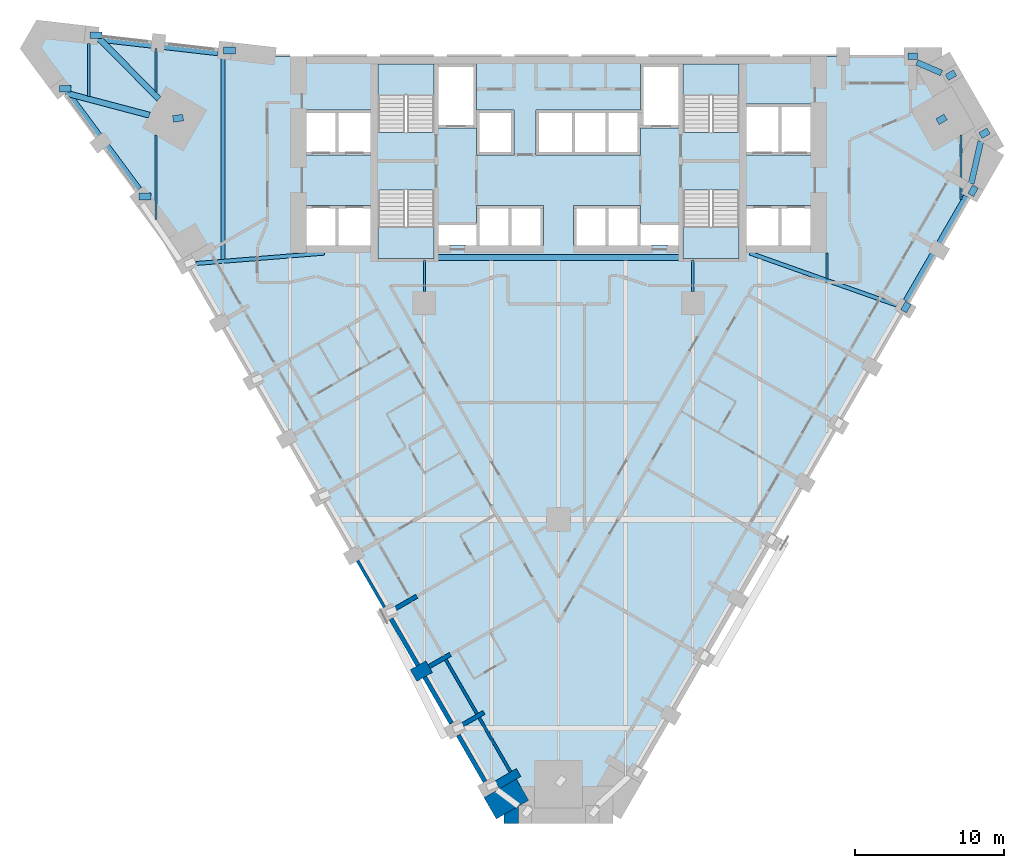
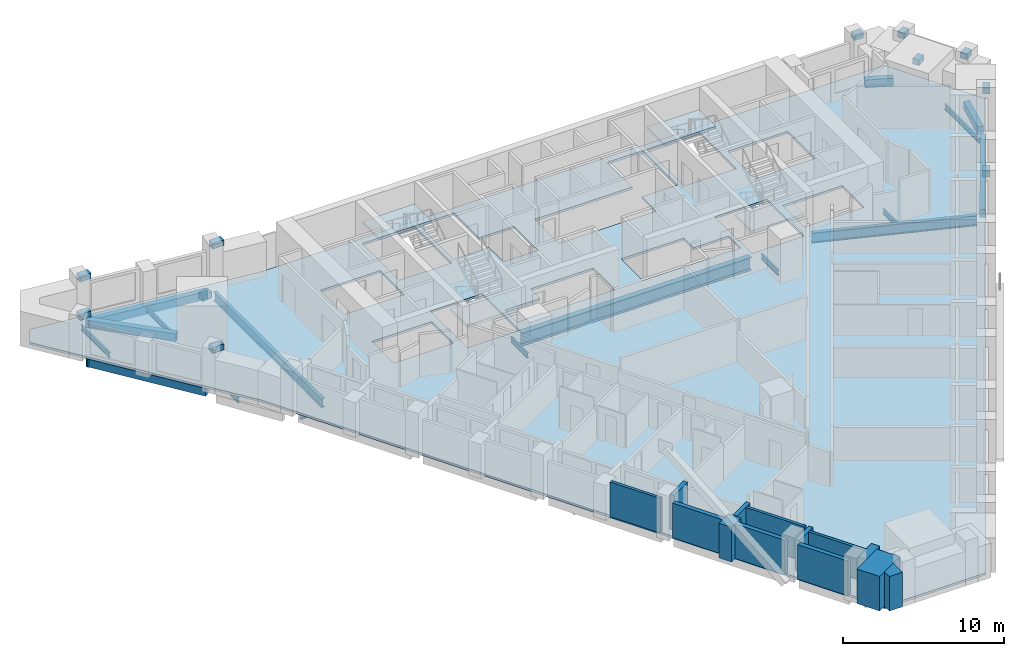
# One storey, part 2 of 11: 29 beams, 13 walls, 5 slabs, 4 elements without a shape of their own.
"""IFC4 building model written with IfcOpenShell, lengths in metres."""

from ifc_helpers import new_model, si_unit, direction, frame, frame_2d, origin, origin_2d, place, context, subcontext, project, spatial, polyline, rectangle, i_section, outline, extrude, material, layer, layer_set, material_profile, profile_set, type_object, element, aggregate, save


model = new_model("IFC4")

# Units and contexts
model_context = context("Model", 3, precision=1e-05, world=origin(), true_north=direction((0.0, 1.0)))
body_context = subcontext(model_context, "Body", "Model", "MODEL_VIEW")
ifc_project = project(units=[si_unit("LENGTHUNIT", "METRE"), si_unit("AREAUNIT", "SQUARE_METRE"), si_unit("VOLUMEUNIT", "CUBIC_METRE"), si_unit("PLANEANGLEUNIT", "RADIAN"), si_unit("MASSUNIT", "GRAM", prefix="KILO")], contexts=[model_context])

# Site, building, storey
site_placement = place(None, origin())
site = spatial("IfcSite", under=ifc_project, at=site_placement, CompositionType="ELEMENT")
building_placement = place(site_placement, origin())
building = spatial("IfcBuilding", under=site, at=building_placement, Name="Calabash Gate Tower", CompositionType="ELEMENT")
storey_placement = place(building_placement, frame((0.0, 0.0, 52.800048828125)))
storey = spatial("IfcBuildingStorey", under=building, at=storey_placement, Name="L08", CompositionType="ELEMENT", Elevation=52.800048828125)

# Beams
ifc_material_1 = material(Name="Concrete C80/95", Category="concrete")
ifc_material_profile_1 = material_profile(ifc_material_1, rectangle(XDim=0.449951171875, YDim=0.449951171875, at=origin_2d()))
ifc_profile_set_1 = profile_set([ifc_material_profile_1], Name="Concrete C80/95")
beam_type_1 = type_object("IfcBeamType", Name="Column offset link RC 450x450 Concrete C80/95", PredefinedType="BEAM", material=ifc_profile_set_1)
beam_1_placement = place(storey_placement, frame((25.409912109375, 14.669921875, 3.00390625), z_axis=(0.865161849697, 0.50149274554, 0.0), x_axis=(-0.50149274554, 0.865161849697, 0.0)))
element("IfcBeam", 1, at=beam_1_placement, inside=storey, type_object=beam_type_1, Name="Column offset link L08 NE", PredefinedType="BEAM", context=body_context, shape_type="SweptSolid", body=[
    extrude(rectangle(XDim=0.449951171875, YDim=0.449951171875, at=origin_2d()), origin(), (0.0, 0.0, 1.0), 0.63232421875),
])
beam_2_placement = place(storey_placement, frame((-25.84912109375, 14.85205078125, 3.00390625), z_axis=(0.989676033851, 0.143322531446, 0.0), x_axis=(-0.143322531446, 0.989676033851, 0.0)))
element("IfcBeam", 2, at=beam_2_placement, inside=storey, type_object=beam_type_1, Name="Column offset link L08 NW", PredefinedType="BEAM", context=body_context, shape_type="SweptSolid", body=[
    extrude(rectangle(XDim=0.449951171875, YDim=0.449951171875, at=origin_2d()), origin(), (0.0, 0.0, 1.0), 0.68310546875),
])
beam_3_placement = place(storey_placement, frame((23.134033203125, 1.964111328125, 3.00390625), z_axis=(0.49972245349, 0.866185586049, 0.0), x_axis=(-0.866185586049, 0.49972245349, 0.0)))
element("IfcBeam", 3, at=beam_3_placement, inside=storey, type_object=beam_type_1, Name="Column offset link L08 P12", PredefinedType="BEAM", context=body_context, shape_type="SweptSolid", body=[
    extrude(rectangle(XDim=0.449951171875, YDim=0.449951171875, at=origin_2d()), origin(), (0.0, 0.0, 1.0), 0.630126953125),
])
beam_4_placement = place(storey_placement, frame((27.634033203125, 9.759033203125, 3.00390625), z_axis=(0.500393920955, 0.865797853931, 0.0), x_axis=(-0.865797853931, 0.500393920955, 0.0)))
element("IfcBeam", 4, at=beam_4_placement, inside=storey, type_object=beam_type_1, Name="Column offset link L08 P13", PredefinedType="BEAM", context=body_context, shape_type="SweptSolid", body=[
    extrude(rectangle(XDim=0.449951171875, YDim=0.449951171875, at=origin_2d()), origin(), (0.0, 0.0, 1.0), 0.62939453125),
])
beam_5_placement = place(storey_placement, frame((28.2890625, 13.737060546875, 3.00390625), z_axis=(0.868290761367, 0.496055595398, 0.0), x_axis=(-0.496055595398, 0.868290761367, 0.0)))
element("IfcBeam", 5, at=beam_5_placement, inside=storey, type_object=beam_type_1, Name="Column offset link L08 P14", PredefinedType="BEAM", context=body_context, shape_type="SweptSolid", body=[
    extrude(rectangle(XDim=0.449951171875, YDim=0.449951171875, at=origin_2d()), origin(), (0.0, 0.0, 1.0), 0.630859375),
])
beam_6_placement = place(storey_placement, frame((26.0390625, 17.632080078125, 3.00390625), z_axis=(0.866956383698, 0.498384017366, 0.0), x_axis=(-0.498384017366, 0.866956383698, 0.0)))
element("IfcBeam", 6, at=beam_6_placement, inside=storey, type_object=beam_type_1, Name="Column offset link L08 P15", PredefinedType="BEAM", context=body_context, shape_type="SweptSolid", body=[
    extrude(rectangle(XDim=0.449951171875, YDim=0.449951171875, at=origin_2d()), origin(), (0.0, 0.0, 1.0), 0.6318359375),
])
beam_7_placement = place(storey_placement, frame((23.43408203125, 19.052978515625, 3.00390625), z_axis=(1.0, 0.0, 0.0), x_axis=(0.0, 1.0, 0.0)))
element("IfcBeam", 7, at=beam_7_placement, inside=storey, type_object=beam_type_1, Name="Column offset link L08 P16", PredefinedType="BEAM", context=body_context, shape_type="SweptSolid", body=[
    extrude(rectangle(XDim=0.449951171875, YDim=0.449951171875, at=origin_2d()), origin(), (0.0, 0.0, 1.0), 0.6298828125),
])
beam_8_placement = place(storey_placement, frame((-22.467041015625, 19.43798828125, 3.00390625), z_axis=(1.0, 0.0, 0.0), x_axis=(0.0, 1.0, 0.0)))
element("IfcBeam", 8, at=beam_8_placement, inside=storey, type_object=beam_type_1, Name="Column offset link L08 P17", PredefinedType="BEAM", context=body_context, shape_type="SweptSolid", body=[
    extrude(rectangle(XDim=0.449951171875, YDim=0.449951171875, at=origin_2d()), origin(), (0.0, 0.0, 1.0), 0.797119140625),
])
beam_9_placement = place(storey_placement, frame((-31.408935546875, 20.4619140625, 3.00390625), z_axis=(1.0, 0.0, 0.0), x_axis=(0.0, 1.0, 0.0)))
element("IfcBeam", 9, at=beam_9_placement, inside=storey, type_object=beam_type_1, Name="Column offset link L08 P18", PredefinedType="BEAM", context=body_context, shape_type="SweptSolid", body=[
    extrude(rectangle(XDim=0.449951171875, YDim=0.449951171875, at=origin_2d()), origin(), (0.0, 0.0, 1.0), 0.796875),
])
beam_10_placement = place(storey_placement, frame((-33.472900390625, 16.883056640625, 3.00390625), z_axis=(1.0, 0.0, 0.0), x_axis=(0.0, 1.0, 0.0)))
element("IfcBeam", 10, at=beam_10_placement, inside=storey, type_object=beam_type_1, Name="Column offset link L08 P19", PredefinedType="BEAM", context=body_context, shape_type="SweptSolid", body=[
    extrude(rectangle(XDim=0.449951171875, YDim=0.449951171875, at=origin_2d()), origin(), (0.0, 0.0, 1.0), 0.794921875),
])
beam_11_placement = place(storey_placement, frame((-28.117919921875, 9.65087890625, 3.00390625), z_axis=(1.0, 0.0, 0.0), x_axis=(0.0, 1.0, 0.0)))
element("IfcBeam", 11, at=beam_11_placement, inside=storey, type_object=beam_type_1, Name="Column offset link L08 P20", PredefinedType="BEAM", context=body_context, shape_type="SweptSolid", body=[
    extrude(rectangle(XDim=0.449951171875, YDim=0.449951171875, at=origin_2d()), origin(), (0.0, 0.0, 1.0), 0.796875),
])
ifc_material_2 = material(Name="Concrete C60/75", Category="concrete")
ifc_material_profile_2 = material_profile(ifc_material_2, rectangle(XDim=0.39990234375, YDim=0.60009765625, at=origin_2d()))
ifc_profile_set_2 = profile_set([ifc_material_profile_2], Name="Concrete C60/75")
beam_type_2 = type_object("IfcBeamType", Name="Edge beam RC 400x600 Concrete C60/75", PredefinedType="BEAM", material=ifc_profile_set_2)
beam_12_placement = place(storey_placement, frame((23.302001953125, 2.656982421875, -0.469970703125), z_axis=(0.500104308266, 0.865965173003, 0.0), x_axis=(-0.865965173003, 0.500104308266, 0.0)))
element("IfcBeam", 12, at=beam_12_placement, inside=storey, type_object=beam_type_2, Name="Edge beam L08 11", PredefinedType="BEAM", context=body_context, shape_type="SweptSolid", body=[
    extrude(rectangle(XDim=0.39990234375, YDim=0.60009765625, at=origin_2d()), origin(), (0.0, 0.0, 1.0), 8.098388671875),
])
beam_13_placement = place(storey_placement, frame((27.669921875, 10.511962890625, -0.469970703125), z_axis=(0.221008263072, 0.975271935233, 0.0), x_axis=(-0.975271935233, 0.221008263072, 0.0)))
element("IfcBeam", 13, at=beam_13_placement, inside=storey, type_object=beam_type_2, Name="Edge beam L08 12", PredefinedType="BEAM", context=body_context, shape_type="SweptSolid", body=[
    extrude(rectangle(XDim=0.39990234375, YDim=0.60009765625, at=origin_2d()), origin(), (0.0, 0.0, 1.0), 2.927490234375),
])
beam_14_placement = place(storey_placement, frame((25.669921875, 17.93798828125, -0.469970703125), z_axis=(-0.91749083079, 0.397756930067, 0.0), x_axis=(-0.397756930067, -0.91749083079, 0.0)))
element("IfcBeam", 14, at=beam_14_placement, inside=storey, type_object=beam_type_2, Name="Edge beam L08 13", PredefinedType="BEAM", context=body_context, shape_type="SweptSolid", body=[
    extrude(rectangle(XDim=0.39990234375, YDim=0.60009765625, at=origin_2d()), origin(), (0.0, 0.0, 1.0), 1.787353515625),
])
beam_15_placement = place(storey_placement, frame((-22.8369140625, 19.291015625, -0.469970703125), z_axis=(-0.993515562215, 0.11369620766, 0.0), x_axis=(-0.11369620766, -0.993515562215, 0.0)))
element("IfcBeam", 15, at=beam_15_placement, inside=storey, type_object=beam_type_2, Name="Edge beam L08 14", PredefinedType="BEAM", context=body_context, shape_type="SweptSolid", body=[
    extrude(rectangle(XDim=0.39990234375, YDim=0.60009765625, at=origin_2d()), origin(), (0.0, 0.0, 1.0), 8.099609375),
])
beam_16_placement = place(storey_placement, frame((-30.888916015625, 20.322998046875, -0.469970703125), z_axis=(0.704852148088, -0.709354248127, 0.0), x_axis=(0.709354248127, 0.704852148088, 0.0)))
element("IfcBeam", 16, at=beam_16_placement, inside=storey, type_object=beam_type_2, Name="Edge beam L08 15", PredefinedType="BEAM", context=body_context, shape_type="SweptSolid", body=[
    extrude(rectangle(XDim=0.39990234375, YDim=0.60009765625, at=origin_2d()), origin(), (0.0, 0.0, 1.0), 5.802490234375),
])
beam_17_placement = place(storey_placement, frame((-27.43310546875, 15.10693359375, -0.469970703125), z_axis=(-0.966823902726, 0.255443812057, 0.0), x_axis=(-0.255443812057, -0.966823902726, 0.0)))
element("IfcBeam", 17, at=beam_17_placement, inside=storey, type_object=beam_type_2, Name="Edge beam L08 16", PredefinedType="BEAM", context=body_context, shape_type="SweptSolid", body=[
    extrude(rectangle(XDim=0.39990234375, YDim=0.60009765625, at=origin_2d()), origin(), (0.0, 0.0, 1.0), 5.80224609375),
])
beam_18_placement = place(storey_placement, frame((-32.947021484375, 16.64111328125, -0.469970703125), z_axis=(0.595424273409, -0.803411435465, 0.0), x_axis=(0.803411435465, 0.595424273409, 0.0)))
element("IfcBeam", 18, at=beam_18_placement, inside=storey, type_object=beam_type_2, Name="Edge beam L08 17", PredefinedType="BEAM", context=body_context, shape_type="SweptSolid", body=[
    extrude(rectangle(XDim=0.39990234375, YDim=0.60009765625, at=origin_2d()), origin(), (0.0, 0.0, 1.0), 8.101806640625),
])
ifc_material_3 = material(Name="Steel ASTM A992 Gr50", Category="steel")
ifc_material_profile_3 = material_profile(ifc_material_3, i_section(OverallWidth=0.1396484375, OverallDepth=0.398681640625, WebThickness=0.00634765625, FlangeThickness=0.0087890625, FilletRadius=0.01025390625, at=origin_2d()))
ifc_profile_set_3 = profile_set([ifc_material_profile_3], Name="Steel ASTM A992 Gr50")
beam_type_3 = type_object("IfcBeamType", Name="Floor beam W16x26 ASTM A992 Gr50", PredefinedType="BEAM", material=ifc_profile_set_3)
beam_19_placement = place(storey_placement, frame((-31.5, 16.366943359375, -0.369140625), z_axis=(0.0, 1.0, 0.0), x_axis=(-1.0, 0.0, 0.0)))
element("IfcBeam", 19, at=beam_19_placement, inside=storey, type_object=beam_type_3, Name="Floor beam L08 1", PredefinedType="BEAM", context=body_context, shape_type="SweptSolid", body=[
    extrude(i_section(OverallWidth=0.1396484375, OverallDepth=0.398681640625, WebThickness=0.00634765625, FlangeThickness=0.0087890625, FilletRadius=0.01025390625, at=origin_2d()), origin(), (0.0, 0.0, 1.0), 3.53515625),
])
beam_20_placement = place(storey_placement, frame((-27.0, 8.117919921875, -0.369140625), z_axis=(0.0, 1.0, 0.0), x_axis=(-1.0, 0.0, 0.0)))
element("IfcBeam", 20, at=beam_20_placement, inside=storey, type_object=beam_type_3, Name="Floor beam L08 2", PredefinedType="BEAM", context=body_context, shape_type="SweptSolid", body=[
    extrude(i_section(OverallWidth=0.1396484375, OverallDepth=0.398681640625, WebThickness=0.00634765625, FlangeThickness=0.0087890625, FilletRadius=0.01025390625, at=origin_2d()), origin(), (0.0, 0.0, 1.0), 5.655029296875),
])
beam_21_placement = place(storey_placement, frame((-27.0, 16.6708984375, -0.369140625), z_axis=(0.0, 1.0, 0.0), x_axis=(-1.0, 0.0, 0.0)))
element("IfcBeam", 21, at=beam_21_placement, inside=storey, type_object=beam_type_3, Name="Floor beam L08 3", PredefinedType="BEAM", context=body_context, shape_type="SweptSolid", body=[
    extrude(i_section(OverallWidth=0.1396484375, OverallDepth=0.398681640625, WebThickness=0.00634765625, FlangeThickness=0.0087890625, FilletRadius=0.01025390625, at=origin_2d()), origin(), (0.0, 0.0, 1.0), 2.9169921875),
])
for number, where, z_axis, x_axis, name in (
    (22, (-9.0, 3.300048828125, -0.369140625), (0.0, 1.0, 0.0), (-1.0, 0.0, 0.0), "Floor beam L08 11"),
    (23, (9.0, 3.300048828125, -0.369140625), (0.0, 1.0, 0.0), (-1.0, 0.0, 0.0), "Floor beam L08 23"),
):
    element("IfcBeam", number, at=place(storey_placement, frame(where, z_axis=z_axis, x_axis=x_axis)), inside=storey, type_object=beam_type_3, Name=name, PredefinedType="BEAM", context=body_context, shape_type="SweptSolid", body=[
        extrude(i_section(OverallWidth=0.1396484375, OverallDepth=0.398681640625, WebThickness=0.00634765625, FlangeThickness=0.0087890625, FilletRadius=0.01025390625, at=origin_2d()), origin(), (0.0, 0.0, 1.0), 2.10302734375),
    ])
beam_22_placement = place(storey_placement, frame((18.0, 4.136962890625, -0.369140625), z_axis=(0.0, 1.0, 0.0), x_axis=(-1.0, 0.0, 0.0)))
element("IfcBeam", 24, at=beam_22_placement, inside=storey, type_object=beam_type_3, Name="Floor beam L08 27", PredefinedType="BEAM", context=body_context, shape_type="SweptSolid", body=[
    extrude(i_section(OverallWidth=0.1396484375, OverallDepth=0.398681640625, WebThickness=0.00634765625, FlangeThickness=0.0087890625, FilletRadius=0.01025390625, at=origin_2d()), origin(), (0.0, 0.0, 1.0), 1.716064453125),
])
beam_23_placement = place(storey_placement, frame((27.0, 9.447998046875, -0.369140625), z_axis=(0.0, 1.0, 0.0), x_axis=(-1.0, 0.0, 0.0)))
element("IfcBeam", 25, at=beam_23_placement, inside=storey, type_object=beam_type_3, Name="Floor beam L08 28", PredefinedType="BEAM", context=body_context, shape_type="SweptSolid", body=[
    extrude(i_section(OverallWidth=0.1396484375, OverallDepth=0.398681640625, WebThickness=0.00634765625, FlangeThickness=0.0087890625, FilletRadius=0.01025390625, at=origin_2d()), origin(), (0.0, 0.0, 1.0), 4.324951171875),
])
ifc_material_4 = material(Name="Steel ASTM A992 Gr50", Category="steel")
ifc_material_profile_4 = material_profile(ifc_material_4, i_section(OverallWidth=0.25390625, OverallDepth=0.67822265625, WebThickness=0.01171875, FlangeThickness=0.016357421875, FilletRadius=0.01513671875, at=origin_2d()))
ifc_profile_set_4 = profile_set([ifc_material_profile_4], Name="Steel ASTM A992 Gr50")
beam_type_4 = type_object("IfcBeamType", Name="Floor beam W27x84 ASTM A992 Gr50", PredefinedType="BEAM", material=ifc_profile_set_4)
beam_24_placement = place(storey_placement, frame((-22.5, 5.4189453125, -0.509033203125), z_axis=(0.0, 1.0, 0.0), x_axis=(-1.0, 0.0, 0.0)))
element("IfcBeam", 26, at=beam_24_placement, inside=storey, type_object=beam_type_4, Name="Floor beam L08 5", PredefinedType="BEAM", context=body_context, shape_type="SweptSolid", body=[
    extrude(i_section(OverallWidth=0.25390625, OverallDepth=0.67822265625, WebThickness=0.01171875, FlangeThickness=0.016357421875, FilletRadius=0.01513671875, at=origin_2d()), origin(), (0.0, 0.0, 1.0), 13.4521484375),
])
ifc_material_5 = material(Name="Steel ASTM A992 Gr50", Category="steel")
ifc_material_profile_5 = material_profile(ifc_material_5, i_section(OverallWidth=0.2666015625, OverallDepth=0.77978515625, WebThickness=0.0166015625, FlangeThickness=0.030029296875, FilletRadius=0.0166015625, at=origin_2d()))
ifc_profile_set_5 = profile_set([ifc_material_profile_5], Name="Steel ASTM A992 Gr50")
beam_type_5 = type_object("IfcBeamType", Name="Girder W30x148 ASTM A992 Gr50", PredefinedType="BEAM", material=ifc_profile_set_5)
beam_25_placement = place(storey_placement, frame((-24.300048828125, 5.162109375, -0.56005859375), z_axis=(0.996777183761, 0.08021998463, 0.0), x_axis=(-0.08021998463, 0.996777183761, 0.0)))
element("IfcBeam", 27, at=beam_25_placement, inside=storey, type_object=beam_type_5, Name="Girder L08 2", PredefinedType="BEAM", context=body_context, shape_type="SweptSolid", body=[
    extrude(i_section(OverallWidth=0.2666015625, OverallDepth=0.77978515625, WebThickness=0.0166015625, FlangeThickness=0.030029296875, FilletRadius=0.0166015625, at=origin_2d()), origin(), (0.0, 0.0, 1.0), 8.625),
])
beam_26_placement = place(storey_placement, frame((22.68603515625, 2.366943359375, -0.56005859375), z_axis=(-0.942595853191, 0.333935708705, 0.0), x_axis=(-0.333935708705, -0.942595853191, 0.0)))
element("IfcBeam", 28, at=beam_26_placement, inside=storey, type_object=beam_type_5, Name="Girder L08 3", PredefinedType="BEAM", context=body_context, shape_type="SweptSolid", body=[
    extrude(i_section(OverallWidth=0.2666015625, OverallDepth=0.77978515625, WebThickness=0.0166015625, FlangeThickness=0.030029296875, FilletRadius=0.0166015625, at=origin_2d()), origin(), (0.0, 0.0, 1.0), 10.460693359375),
])
ifc_material_6 = material(Name="Steel ASTM A992 Gr50", Category="steel")
ifc_material_profile_6 = material_profile(ifc_material_6, i_section(OverallWidth=0.4013671875, OverallDepth=1.000732421875, WebThickness=0.01904296875, FlangeThickness=0.0361328125, FilletRadius=0.030029296875, at=origin_2d()))
ifc_profile_set_6 = profile_set([ifc_material_profile_6], Name="Steel ASTM A992 Gr50")
beam_type_6 = type_object("IfcBeamType", Name="Girder W40x249 ASTM A992 Gr50", PredefinedType="BEAM", material=ifc_profile_set_6)
beam_27_placement = place(storey_placement, frame((-8.25, 5.552978515625, -0.670166015625), z_axis=(1.0, 0.0, 0.0), x_axis=(0.0, 1.0, 0.0)))
element("IfcBeam", 29, at=beam_27_placement, inside=storey, type_object=beam_type_6, Name="Girder L08 1", PredefinedType="BEAM", context=body_context, shape_type="SweptSolid", body=[
    extrude(i_section(OverallWidth=0.4013671875, OverallDepth=1.000732421875, WebThickness=0.01904296875, FlangeThickness=0.0361328125, FilletRadius=0.030029296875, at=origin_2d()), origin(), (0.0, 0.0, 1.0), 16.5),
])

# Slab
ifc_material_7 = material(Name="Concrete C40/50", Category="concrete")
ifc_layer_1 = layer(ifc_material_7, 0.169921875)
ifc_layer_set_1 = layer_set([ifc_layer_1], Name="Composite floor slab 170 Concrete C40/50")
slab_type_1 = type_object("IfcSlabType", Name="Composite floor slab 170 Concrete C40/50", PredefinedType="FLOOR", material=ifc_layer_set_1)
slab_1_placement = place(storey_placement, frame((0.0, 0.0, -0.170166015625)))
element("IfcSlab", 30, at=slab_1_placement, inside=storey, type_object=slab_type_1, Name="Floor slab L08", PredefinedType="FLOOR", context=body_context, shape_type="SweptSolid", body=[
    extrude(outline(polyline([(-26.0, 6.92822265625), (-35.392578125, 19.606201171875), (-34.67578125, 20.84765625), (-19.0, 19.052490234375), (25.699951171875, 19.052490234375), (29.35009765625, 12.73046875), (3.64990234375, -31.783203125), (-3.64990234375, -31.783203125), (-26.0, 6.92822265625)]), holes=[polyline([(-5.5, 9.052490234375), (-5.5, 7.8525390625), (-8.050048828125, 7.8525390625), (-8.050048828125, 6.3525390625), (-7.324951171875, 6.3525390625), (-7.324951171875, 6.402587890625), (-6.22509765625, 6.402587890625), (-6.22509765625, 6.3525390625), (-5.5, 6.3525390625), (-3.25, 6.3525390625), (-1.0, 6.3525390625), (-1.0, 9.052490234375), (-3.25, 9.052490234375), (-5.5, 9.052490234375)]), polyline([(5.5, 9.052490234375), (3.25, 9.052490234375), (1.0, 9.052490234375), (1.0, 6.3525390625), (3.25, 6.3525390625), (5.5, 6.3525390625), (6.22509765625, 6.3525390625), (6.22509765625, 6.402587890625), (7.324951171875, 6.402587890625), (7.324951171875, 6.3525390625), (8.050048828125, 6.3525390625), (8.050048828125, 7.8525390625), (5.5, 7.8525390625), (5.5, 9.052490234375)]), polyline([(-5.5, 14.252685546875), (-5.5, 12.45263671875), (-3.0, 12.45263671875), (-3.0, 15.45263671875), (-5.5, 15.45263671875), (-5.5, 18.552490234375), (-8.050048828125, 18.552490234375), (-8.050048828125, 14.252685546875), (-5.5, 14.252685546875)]), polyline([(8.050048828125, 18.552490234375), (5.5, 18.552490234375), (5.5, 15.45263671875), (3.25, 15.45263671875), (1.0, 15.45263671875), (-1.5, 15.45263671875), (-1.5, 12.45263671875), (1.0, 12.45263671875), (3.25, 12.45263671875), (5.5, 12.45263671875), (5.5, 14.252685546875), (8.050048828125, 14.252685546875), (8.050048828125, 18.552490234375)]), polyline([(-12.60009765625, 6.3525390625), (-12.60009765625, 9.052490234375), (-14.85009765625, 9.052490234375), (-16.89990234375, 9.052490234375), (-16.89990234375, 6.3525390625), (-14.85009765625, 6.3525390625), (-12.60009765625, 6.3525390625)]), polyline([(-14.85009765625, 12.45263671875), (-12.60009765625, 12.45263671875), (-12.60009765625, 15.45263671875), (-14.85009765625, 15.45263671875), (-16.89990234375, 15.45263671875), (-16.89990234375, 12.45263671875), (-14.85009765625, 12.45263671875)]), polyline([(14.85009765625, 6.3525390625), (16.89990234375, 6.3525390625), (16.89990234375, 9.052490234375), (14.85009765625, 9.052490234375), (12.60009765625, 9.052490234375), (12.60009765625, 6.3525390625), (14.85009765625, 6.3525390625)]), polyline([(14.85009765625, 12.45263671875), (16.89990234375, 12.45263671875), (16.89990234375, 15.8525390625), (14.85009765625, 15.8525390625), (12.60009765625, 15.8525390625), (12.60009765625, 12.45263671875), (14.85009765625, 12.45263671875)]), polyline([(-8.35009765625, 18.552490234375), (-12.10009765625, 18.552490234375), (-12.10009765625, 13.95263671875), (-8.35009765625, 13.95263671875), (-8.35009765625, 18.552490234375)]), polyline([(-12.10009765625, 10.1025390625), (-12.10009765625, 5.502685546875), (-8.35009765625, 5.502685546875), (-8.35009765625, 10.1025390625), (-12.10009765625, 10.1025390625)]), polyline([(8.35009765625, 13.95263671875), (12.10009765625, 13.95263671875), (12.10009765625, 18.552490234375), (8.35009765625, 18.552490234375), (8.35009765625, 13.95263671875)]), polyline([(12.10009765625, 5.502685546875), (12.10009765625, 10.1025390625), (8.35009765625, 10.1025390625), (8.35009765625, 5.502685546875), (12.10009765625, 5.502685546875)])]), origin(), (0.0, 0.0, 1.0), 0.170166015625),
])

# Stair, slab
ifc_material_8 = material(Name="Concrete C40/50", Category="concrete")
stair_type = type_object("IfcStairType", Name="Exit stair 20 risers of 170 mm", PredefinedType="HALF_TURN_STAIR", material=ifc_material_8)
stair_1_placement = place(storey_placement, origin())
stair_1 = element("IfcStair", 31, at=stair_1_placement, inside=storey, type_object=stair_type, Name="L08 Exit stair ST1", PredefinedType="HALF_TURN_STAIR")
ifc_material_9 = material(Name="Concrete C40/50", Category="concrete")
ifc_layer_2 = layer(ifc_material_9, 0.199951171875)
ifc_layer_set_2 = layer_set([ifc_layer_2], Name="Stair landing SL200")
slab_type_2 = type_object("IfcSlabType", Name="Stair landing SL200", PredefinedType="LANDING", material=ifc_layer_set_2)
slab_2_placement = place(storey_placement, frame((0.0, 0.0, 1.5)))
slab_2 = element("IfcSlab", 32, at=slab_2_placement, type_object=slab_type_2, Name="ST1 landing 1", PredefinedType="LANDING", context=body_context, shape_type="SweptSolid", body=[
    extrude(outline(polyline([(-8.35009765625, 16.463623046875), (-8.35009765625, 18.552490234375), (-12.10009765625, 18.552490234375), (-12.10009765625, 16.463623046875), (-8.35009765625, 16.463623046875)])), origin(), (0.0, 0.0, 1.0), 0.199951171875),
])
aggregate(stair_1, [slab_2])

stair_2_placement = place(storey_placement, origin())
stair_2 = element("IfcStair", 33, at=stair_2_placement, inside=storey, type_object=stair_type, Name="L08 Exit stair ST2", PredefinedType="HALF_TURN_STAIR")
slab_3_placement = place(storey_placement, frame((0.0, 0.0, 1.5)))
slab_3 = element("IfcSlab", 34, at=slab_3_placement, type_object=slab_type_2, Name="ST2 landing 1", PredefinedType="LANDING", context=body_context, shape_type="SweptSolid", body=[
    extrude(outline(polyline([(-12.10009765625, 7.591552734375), (-12.10009765625, 5.502685546875), (-8.35009765625, 5.502685546875), (-8.35009765625, 7.591552734375), (-12.10009765625, 7.591552734375)])), origin(), (0.0, 0.0, 1.0), 0.199951171875),
])
aggregate(stair_2, [slab_3])

stair_3_placement = place(storey_placement, origin())
stair_3 = element("IfcStair", 35, at=stair_3_placement, inside=storey, type_object=stair_type, Name="L08 Exit stair ST3", PredefinedType="HALF_TURN_STAIR")
slab_4_placement = place(storey_placement, frame((0.0, 0.0, 1.5)))
slab_4 = element("IfcSlab", 36, at=slab_4_placement, type_object=slab_type_2, Name="ST3 landing 1", PredefinedType="LANDING", context=body_context, shape_type="SweptSolid", body=[
    extrude(outline(polyline([(12.10009765625, 16.463623046875), (12.10009765625, 18.552490234375), (8.35009765625, 18.552490234375), (8.35009765625, 16.463623046875), (12.10009765625, 16.463623046875)])), origin(), (0.0, 0.0, 1.0), 0.199951171875),
])
aggregate(stair_3, [slab_4])

stair_4_placement = place(storey_placement, origin())
stair_4 = element("IfcStair", 37, at=stair_4_placement, inside=storey, type_object=stair_type, Name="L08 Exit stair ST4", PredefinedType="HALF_TURN_STAIR")
slab_5_placement = place(storey_placement, frame((0.0, 0.0, 1.5)))
slab_5 = element("IfcSlab", 38, at=slab_5_placement, type_object=slab_type_2, Name="ST4 landing 1", PredefinedType="LANDING", context=body_context, shape_type="SweptSolid", body=[
    extrude(outline(polyline([(8.35009765625, 7.591552734375), (8.35009765625, 5.502685546875), (12.10009765625, 5.502685546875), (12.10009765625, 7.591552734375), (8.35009765625, 7.591552734375)])), origin(), (0.0, 0.0, 1.0), 0.199951171875),
])
aggregate(stair_4, [slab_5])

# Walls
ifc_material_10 = material(Name="Terracotta brick masonry, exposed face", Category="masonry")
ifc_layer_3 = layer(ifc_material_10, 2.5)
ifc_layer_set_3 = layer_set([ifc_layer_3], Name="Brick corner mass wall 2500")
wall_type_1 = type_object("IfcWallType", Name="Brick corner mass wall 2500", PredefinedType="SOLIDWALL", material=ifc_layer_set_3)
wall_1_placement = place(storey_placement, origin())
element("IfcWall", 39, at=wall_1_placement, inside=storey, type_object=wall_type_1, Name="Brick corner pier S01 2a", PredefinedType="SOLIDWALL", context=body_context, shape_type="SweptSolid", body=[
    extrude(outline(polyline([(-2.004638671875, -30.833251953125), (-2.82958984375, -29.404296875), (-4.99462890625, -30.654296875), (-4.169677734375, -32.083251953125), (-2.699951171875, -31.234619140625), (-2.699951171875, -31.18310546875), (-2.610595703125, -31.18310546875), (-2.004638671875, -30.833251953125)])), origin(), (0.0, 0.0, 1.0), 2.6298828125),
])
wall_2_placement = place(storey_placement, origin())
element("IfcWall", 40, at=wall_2_placement, inside=storey, type_object=wall_type_1, Name="Brick corner pier S01 2ba", PredefinedType="SOLIDWALL", context=body_context, shape_type="SweptSolid", body=[
    extrude(outline(polyline([(-3.64990234375, -31.783203125), (-3.64990234375, -32.383056640625), (-2.699951171875, -32.383056640625), (-2.699951171875, -31.234619140625), (-3.64990234375, -31.783203125)])), origin(), (0.0, 0.0, 1.0), 2.6298828125),
])
ifc_material_11 = material(Name="Terracotta brick masonry, exposed face", Category="masonry")
ifc_layer_4 = layer(ifc_material_11, 1.199951171875)
ifc_layer_set_4 = layer_set([ifc_layer_4], Name="Brick end wall 1200")
wall_type_2 = type_object("IfcWallType", Name="Brick end wall 1200", PredefinedType="SOLIDWALL", material=ifc_layer_set_4)
wall_3_placement = place(storey_placement, frame((-8.680419921875, -21.870361328125, 0.0), z_axis=(0.0, 0.0, 1.0), x_axis=(-0.866094119867, -0.499880961361, 0.0)))
element("IfcWall", 41, at=wall_3_placement, inside=storey, type_object=wall_type_2, Name="Brick pier S01 SW0.7", PredefinedType="SOLIDWALL", context=body_context, shape_type="SweptSolid", body=[
    extrude(rectangle(XDim=1.199951171875, YDim=0.89990234375, at=frame_2d((0.60009765625, 0.0))), origin(), (0.0, 0.0, 1.0), 2.6298828125),
])
ifc_material_12 = material(Name="Terracotta brick masonry, exposed face", Category="masonry")
ifc_layer_5 = layer(ifc_material_12, 0.300048828125)
ifc_layer_set_5 = layer_set([ifc_layer_5], Name="Brick infill panel wall 300")
wall_type_3 = type_object("IfcWallType", Name="Brick infill panel wall 300", PredefinedType="SOLIDWALL", material=ifc_layer_set_5)
for number, where, z_axis, x_axis, name in (
    (42, (-11.22509765625, -18.662841796875, 0.0), (0.0, 0.0, 1.0), (0.500012057535, -0.866018442252, 0.0), "Brick panel S01 SW0.7"),
    (43, (-8.97509765625, -22.56005859375, 0.0), (0.0, 0.0, 1.0), (0.500012057535, -0.866018442252, 0.0), "Brick panel S01 SW0.8"),
):
    element("IfcWall", number, at=place(storey_placement, frame(where, z_axis=z_axis, x_axis=x_axis)), inside=storey, type_object=wall_type_3, Name=name, PredefinedType="SOLIDWALL", context=body_context, shape_type="SweptSolid", body=[
        extrude(rectangle(XDim=3.60009765625, YDim=0.300048828125, at=frame_2d((1.800048828125, 0.0))), origin(), (0.0, 0.0, 1.0), 2.6298828125),
    ])
wall_4_placement = place(storey_placement, frame((-4.92529296875, -29.574462890625, 0.0), z_axis=(0.0, 0.0, 1.0), x_axis=(-0.499990559667, 0.866030854095, 0.0)))
element("IfcWall", 44, at=wall_4_placement, inside=storey, type_object=wall_type_3, Name="Brick panel S01 SW0.9", PredefinedType="SOLIDWALL", context=body_context, shape_type="SweptSolid", body=[
    extrude(rectangle(XDim=3.599609375, YDim=0.300048828125, at=frame_2d((1.7998046875, 0.0))), origin(), (0.0, 0.0, 1.0), 2.6298828125),
])
ifc_material_13 = material(Name="Terracotta brick masonry, exposed face", Category="masonry")
ifc_layer_6 = layer(ifc_material_13, 0.300048828125)
ifc_layer_set_6 = layer_set([ifc_layer_6], Name="Brick loggia cheek wall 300")
wall_type_4 = type_object("IfcWallType", Name="Brick loggia cheek wall 300", PredefinedType="SOLIDWALL", material=ifc_layer_set_6)
wall_5_placement = place(storey_placement, frame((-10.930419921875, -17.97314453125, 0.0), z_axis=(0.0, 0.0, 1.0), x_axis=(0.866040211805, 0.499974350878, 0.0)))
element("IfcWall", 45, at=wall_5_placement, inside=storey, type_object=wall_type_4, Name="Loggia cheek S01 SW0.6", PredefinedType="SOLIDWALL", context=body_context, shape_type="SweptSolid", body=[
    extrude(rectangle(XDim=1.64990234375, YDim=0.300048828125, at=frame_2d((0.824951171875, 0.0))), origin(), (0.0, 0.0, 1.0), 2.64990234375),
])
wall_6_placement = place(storey_placement, frame((-8.680419921875, -21.870361328125, 0.0), z_axis=(0.0, 0.0, 1.0), x_axis=(0.865976140824, 0.500085316245, 0.0)))
element("IfcWall", 46, at=wall_6_placement, inside=storey, type_object=wall_type_4, Name="Loggia cheek S01 SW0.7", PredefinedType="SOLIDWALL", context=body_context, shape_type="SweptSolid", body=[
    extrude(rectangle(XDim=1.650146484375, YDim=0.300048828125, at=frame_2d((0.8251953125, 0.0))), origin(), (0.0, 0.0, 1.0), 2.64990234375),
])
wall_7_placement = place(storey_placement, frame((-6.43017578125, -25.767333984375, 0.0), z_axis=(0.0, 0.0, 1.0), x_axis=(0.866003217194, 0.500038426333, 0.0)))
element("IfcWall", 47, at=wall_7_placement, inside=storey, type_object=wall_type_4, Name="Loggia cheek S01 SW0.8", PredefinedType="SOLIDWALL", context=body_context, shape_type="SweptSolid", body=[
    extrude(rectangle(XDim=1.649658203125, YDim=0.300048828125, at=frame_2d((0.82470703125, 0.0))), origin(), (0.0, 0.0, 1.0), 2.3740234375),
])
wall_8_placement = place(storey_placement, frame((-2.676513671875, -28.969482421875, 0.0), z_axis=(0.0, 0.0, 1.0), x_axis=(-0.866040211805, -0.499974350878, 0.0)))
element("IfcWall", 48, at=wall_8_placement, inside=storey, type_object=wall_type_4, Name="Loggia cheek S01 SW0.9", PredefinedType="SOLIDWALL", context=body_context, shape_type="SweptSolid", body=[
    extrude(rectangle(XDim=1.64990234375, YDim=0.60009765625, at=frame_2d((0.824951171875, 0.0))), origin(), (0.0, 0.0, 1.0), 2.6298828125),
])
ifc_material_14 = material(Name="Terracotta brick masonry, perforated", Category="masonry")
ifc_layer_7 = layer(ifc_material_14, 0.199951171875)
ifc_layer_set_7 = layer_set([ifc_layer_7], Name="Terracotta jaali screen A")
wall_type_5 = type_object("IfcWallType", Name="Terracotta jaali screen A", PredefinedType="SOLIDWALL", material=ifc_layer_set_7)
wall_9_placement = place(storey_placement, frame((-13.47509765625, -14.765625, 0.0), z_axis=(0.0, 0.0, 1.0), x_axis=(0.499982693035, -0.866035395735, 0.0)))
element("IfcWall", 49, at=wall_9_placement, inside=storey, type_object=wall_type_5, Name="SCREEN A S01 SW0.6", PredefinedType="SOLIDWALL", context=body_context, shape_type="SweptSolid", body=[
    extrude(rectangle(XDim=3.600341796875, YDim=0.199951171875, at=frame_2d((1.80029296875, 0.0))), origin(), (0.0, 0.0, 1.0), 2.6298828125),
])
ifc_material_15 = material(Name="Aluminium framed window wall with insulated spandrel", Category="aluminium")
ifc_layer_8 = layer(ifc_material_15, 0.199951171875)
ifc_layer_set_8 = layer_set([ifc_layer_8], Name="Window wall 200")
wall_type_6 = type_object("IfcWallType", Name="Window wall 200", PredefinedType="ELEMENTEDWALL", material=ifc_layer_set_8)
wall_10_placement = place(storey_placement, frame((-7.566162109375, -21.400146484375, 0.0), z_axis=(0.0, 0.0, 1.0), x_axis=(0.500027713859, -0.866009402589, 0.0)))
element("IfcWall", 50, at=wall_10_placement, inside=storey, type_object=wall_type_6, Name="Window wall S01 SW0.8", PredefinedType="ELEMENTEDWALL", context=body_context, shape_type="SweptSolid", body=[
    extrude(rectangle(XDim=4.199951171875, YDim=0.199951171875, at=frame_2d((2.10009765625, 0.0))), origin(), (0.0, 0.0, 1.0), 2.64990234375),
])
wall_11_placement = place(storey_placement, frame((-5.316162109375, -25.29736328125, 0.0), z_axis=(0.0, 0.0, 1.0), x_axis=(0.500027713859, -0.866009402589, 0.0)))
element("IfcWall", 51, at=wall_11_placement, inside=storey, type_object=wall_type_6, Name="Window wall S01 SW0.9", PredefinedType="ELEMENTEDWALL", context=body_context, shape_type="SweptSolid", body=[
    extrude(rectangle(XDim=4.199951171875, YDim=0.199951171875, at=frame_2d((2.10009765625, 0.0))), origin(), (0.0, 0.0, 1.0), 2.3740234375),
])

save(model, "model.ifc")
